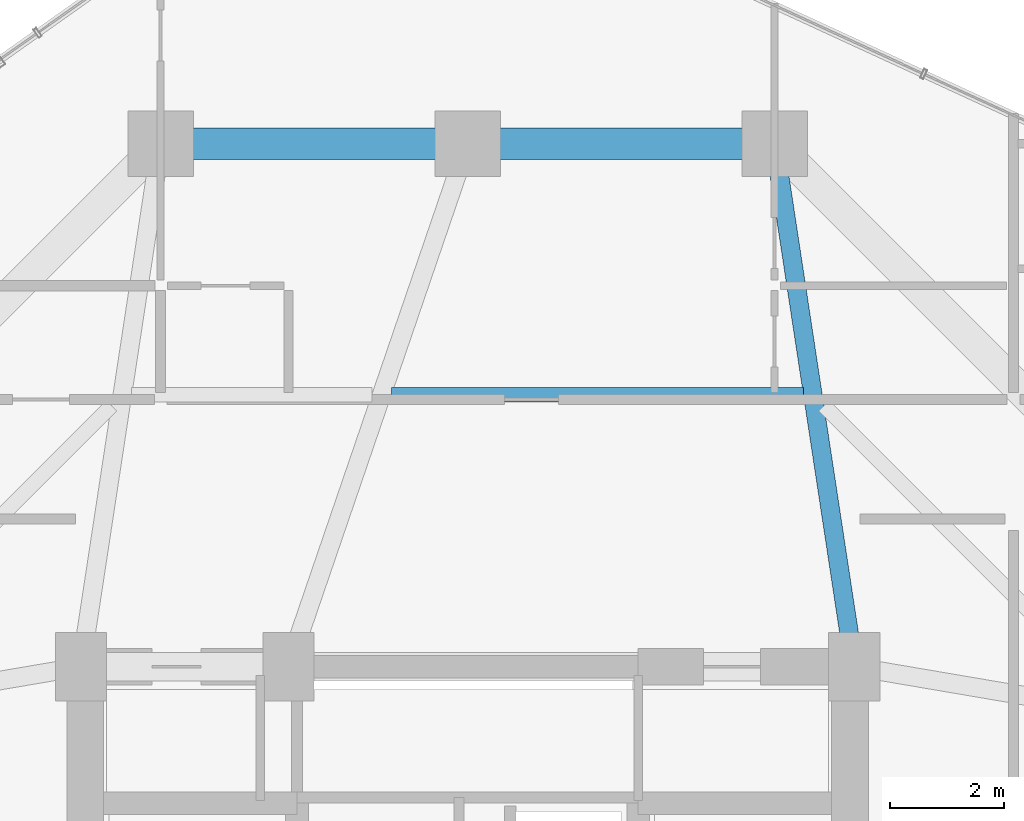
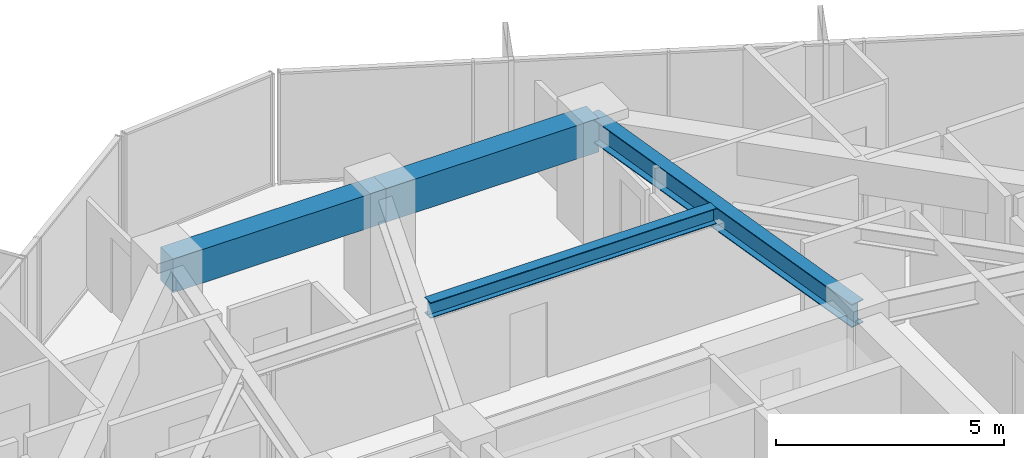
# One storey, part 22 of 33: 4 beams.
"""IFC4 building model written with IfcOpenShell, lengths in metres."""

from ifc_helpers import new_model, si_unit, direction, frame, origin, origin_2d, place, context, subcontext, project, spatial, rectangle, i_section, extrude, material, material_profile, profile_set, type_object, element, save


model = new_model("IFC4")

# Units and contexts
model_context = context("Model", 3, precision=1e-05, world=origin(), true_north=direction((0.0, 1.0)))
body_context = subcontext(model_context, "Body", "Model", "MODEL_VIEW")
ifc_project = project(units=[si_unit("LENGTHUNIT", "METRE"), si_unit("AREAUNIT", "SQUARE_METRE"), si_unit("VOLUMEUNIT", "CUBIC_METRE"), si_unit("PLANEANGLEUNIT", "RADIAN"), si_unit("MASSUNIT", "GRAM", prefix="KILO")], contexts=[model_context])

# Site, building, storey
site_placement = place(None, origin())
site = spatial("IfcSite", under=ifc_project, at=site_placement, CompositionType="ELEMENT")
building_placement = place(site_placement, origin())
building = spatial("IfcBuilding", under=site, at=building_placement, Name="Veraguas Prism Commons", CompositionType="ELEMENT")
storey_placement = place(building_placement, frame((0.0, 0.0, 145.75)))
storey = spatial("IfcBuildingStorey", under=building, at=storey_placement, Name="L41", CompositionType="ELEMENT", Elevation=145.75)

# Beams
ifc_material_1 = material(Name="Steel ASTM A992 Grade 50", Category="steel")
ifc_material_profile_1 = material_profile(ifc_material_1, i_section(OverallWidth=0.260986328125, OverallDepth=0.419921875, WebThickness=0.01171875, FlangeThickness=0.019287109375, at=origin_2d()), Name="W410X114")
ifc_profile_set_1 = profile_set([ifc_material_profile_1], Name="Steel ASTM A992 Grade 50")
beam_type_1 = type_object("IfcBeamType", Name="Lower Floor Joist W410x114", PredefinedType="JOIST", material=ifc_profile_set_1)
beam_1_placement = place(storey_placement, frame((29.908203125, 35.783935546875, 2.7900390625), z_axis=(-1.0, 0.0, 0.0), x_axis=(0.0, -1.0, 0.0)))
element("IfcBeam", 1, at=beam_1_placement, inside=storey, type_object=beam_type_1, Name="Composite Floor Joist L41-JS04", PredefinedType="JOIST", context=body_context, shape_type="SweptSolid", body=[
    extrude(i_section(OverallWidth=0.260986328125, OverallDepth=0.419921875, WebThickness=0.01171875, FlangeThickness=0.019287109375, at=origin_2d()), origin(), (0.0, 0.0, 1.0), 7.2490234375),
])
ifc_material_2 = material(Name="Concrete C50/60", Category="concrete")
ifc_material_profile_2 = material_profile(ifc_material_2, rectangle(XDim=0.550048828125, YDim=0.89990234375, at=origin_2d()), Name="RC550X900")
ifc_profile_set_2 = profile_set([ifc_material_profile_2], Name="Concrete C50/60")
beam_type_2 = type_object("IfcBeamType", Name="Perimeter Spandrel Lower RC 550x900", PredefinedType="SPANDREL", material=ifc_profile_set_2)
for number, where, z_axis, x_axis, name in (
    (2, (29.39990234375, 40.199951171875, 2.550048828125), (-1.0, 0.0, 0.0), (0.0, -1.0, 0.0), "Perimeter Spandrel Beam L41-SP04"),
    (3, (24.0, 40.199951171875, 2.550048828125), (-1.0, 0.0, 0.0), (0.0, -1.0, 0.0), "Perimeter Spandrel Beam L41-SP05"),
):
    element("IfcBeam", number, at=place(storey_placement, frame(where, z_axis=z_axis, x_axis=x_axis)), inside=storey, type_object=beam_type_2, Name=name, PredefinedType="SPANDREL", context=body_context, shape_type="SweptSolid", body=[
        extrude(rectangle(XDim=0.550048828125, YDim=0.89990234375, at=origin_2d()), origin(), (0.0, 0.0, 1.0), 5.39990234375),
    ])
ifc_material_profile_3 = material_profile(ifc_material_1, i_section(OverallWidth=0.327880859375, OverallDepth=0.6220703125, WebThickness=0.015380859375, FlangeThickness=0.0244140625, at=origin_2d()), Name="W610X195")
ifc_profile_set_3 = profile_set([ifc_material_profile_3], Name="Steel ASTM A992 Grade 50")
beam_type_3 = type_object("IfcBeamType", Name="Zone 2 Radial Girder W610x195", PredefinedType="BEAM", material=ifc_profile_set_3)
beam_2_placement = place(storey_placement, frame((29.39990234375, 40.199951171875, 2.68896484375), z_axis=(0.150458162136, -0.98861637729, 0.0), x_axis=(0.98861637729, 0.150458162136, 0.0)))
element("IfcBeam", 4, at=beam_2_placement, inside=storey, type_object=beam_type_3, Name="Radial Floor Girder L41-RD04", PredefinedType="BEAM", context=body_context, shape_type="SweptSolid", body=[
    extrude(i_section(OverallWidth=0.327880859375, OverallDepth=0.6220703125, WebThickness=0.015380859375, FlangeThickness=0.0244140625, at=origin_2d()), origin(), (0.0, 0.0, 1.0), 9.305908203125),
])

save(model, "model.ifc")
